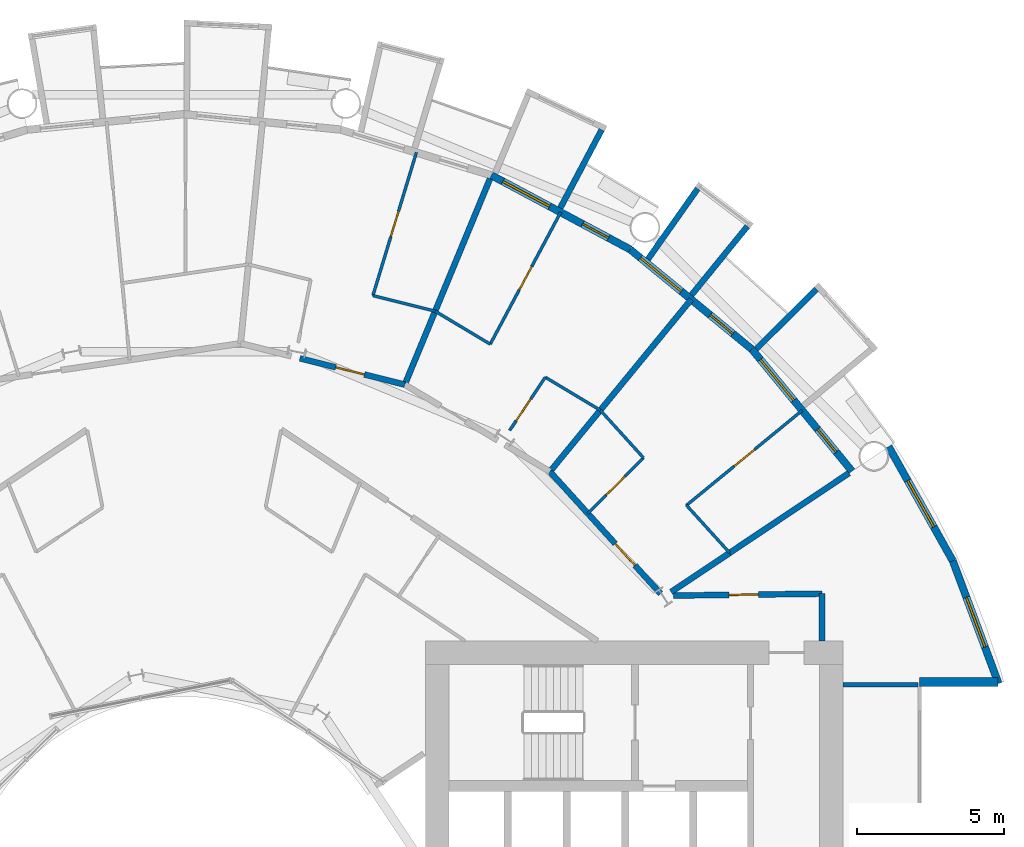
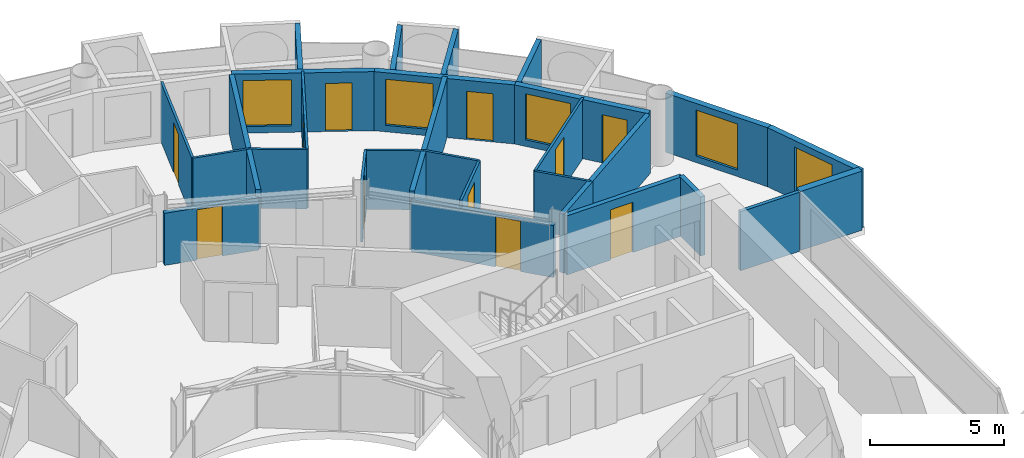
# One storey, part 21 of 26: 29 walls, 11 doors, 5 windows, 16 openings.
"""IFC4 building model written with IfcOpenShell, lengths in metres."""

from ifc_helpers import new_model, si_unit, direction, frame, frame_2d, origin, place, context, subcontext, project, spatial, rectangle, extrude, material, layer, layer_set, type_object, element, fill, save


model = new_model("IFC4")

# Units and contexts
model_context = context("Model", 3, precision=1e-05, world=origin(), true_north=direction((0.0, 1.0)))
body_context = subcontext(model_context, "Body", "Model", "MODEL_VIEW")
ifc_project = project(units=[si_unit("LENGTHUNIT", "METRE"), si_unit("AREAUNIT", "SQUARE_METRE"), si_unit("VOLUMEUNIT", "CUBIC_METRE"), si_unit("PLANEANGLEUNIT", "RADIAN"), si_unit("MASSUNIT", "GRAM", prefix="KILO")], contexts=[model_context])

# Site, building, storey
site_placement = place(None, origin())
site = spatial("IfcSite", under=ifc_project, at=site_placement, CompositionType="ELEMENT")
building_placement = place(site_placement, origin())
building = spatial("IfcBuilding", under=site, at=building_placement, Name="Maasbend Ring Residences", CompositionType="ELEMENT")
storey_placement = place(building_placement, frame((0.0, 0.0, 31.949951171875)))
storey = spatial("IfcBuildingStorey", under=building, at=storey_placement, Name="L08", CompositionType="ELEMENT", Elevation=31.949951171875)

# Wall
ifc_material_1 = material(Name="Concrete C30/37", Category="concrete")
ifc_layer_1 = layer(ifc_material_1, 0.199951171875)
ifc_layer_set_1 = layer_set([ifc_layer_1], Name="Concrete C30/37")
wall_type_1 = type_object("IfcWallType", Name="CORRIDOR WALL 200 CONCRETE", PredefinedType="PARTITIONING", material=ifc_layer_set_1)
wall_1_placement = place(storey_placement, frame((21.675048828125, 9.39990234375, 0.0), z_axis=(0.0, 0.0, 1.0), x_axis=(0.0, 1.0, 0.0)))
element("IfcWall", 1, at=wall_1_placement, inside=storey, type_object=wall_type_1, Name="U-L08-w002", PredefinedType="PARTITIONING", context=body_context, shape_type="SweptSolid", body=[
    extrude(rectangle(XDim=1.60009765625, YDim=0.199951171875, at=frame_2d((0.800048828125, 0.0))), origin(), (0.0, 0.0, 1.0), 2.699951171875),
])

# Wall, opening, door
wall_2_placement = place(storey_placement, frame((16.636962890625, 10.93798828125, 0.0), z_axis=(0.0, 0.0, 1.0), x_axis=(0.99992425795, 0.012307654658, 0.0)))
wall_2 = element("IfcWall", 2, at=wall_2_placement, inside=storey, type_object=wall_type_1, Name="U-L08-w079", PredefinedType="PARTITIONING", context=body_context, shape_type="SweptSolid", body=[
    extrude(rectangle(XDim=5.03857421875, YDim=0.199951171875, at=frame_2d((2.519287109375, 0.0))), origin(), (0.0, 0.0, 1.0), 2.699951171875),
])
opening_1_placement = place(wall_2_placement, frame((1.884033203125, 0.0, 0.0)))
opening_1 = element("IfcOpeningElement", 3, at=opening_1_placement, cuts=wall_2, Name="Opening D-0860", PredefinedType="OPENING", context=body_context, shape_type="SweptSolid", body=[
    extrude(rectangle(XDim=1.0, YDim=2.300048828125, at=frame_2d((0.5, 1.14990234375))), frame((0.0, 0.10986328125, 0.0), z_axis=(0.0, -1.0, 0.0), x_axis=(1.0, 0.0, 0.0)), (0.0, 0.0, 1.0), 0.219970703125),
])
ifc_material_2 = material(Name="Timber, painted", Category="wood")
door_type_1 = type_object("IfcDoorType", Name="ROOM DOOR 1000 X 2300", OperationType="NOTDEFINED", PredefinedType="DOOR", material=ifc_material_2)
door_1_placement = place(opening_1_placement, origin())
door_1 = element("IfcDoor", 4, at=door_1_placement, inside=storey, type_object=door_type_1, Name="D-0860", OperationType="SINGLE_SWING_LEFT", OverallHeight=2.300048828125, OverallWidth=1.0, PredefinedType="DOOR", context=body_context, shape_type="SweptSolid", body=[
    extrude(rectangle(XDim=1.0, YDim=2.300048828125, at=frame_2d((0.5, 1.14990234375))), frame((0.0, 0.02490234375, 0.0), z_axis=(0.0, -1.0, 0.0), x_axis=(1.0, 0.0, 0.0)), (0.0, 0.0, 1.0), 0.050048828125),
])
fill(opening_1, door_1)

wall_3_placement = place(storey_placement, frame((3.93505859375, 19.0009765625, 0.0), z_axis=(0.0, 0.0, 1.0), x_axis=(0.970040840928, -0.242941900323, 0.0)))
wall_3 = element("IfcWall", 5, at=wall_3_placement, inside=storey, type_object=wall_type_1, Name="U-L08-w091", PredefinedType="PARTITIONING", context=body_context, shape_type="SweptSolid", body=[
    extrude(rectangle(XDim=3.676025390625, YDim=0.199951171875, at=frame_2d((1.837890625, 0.0))), origin(), (0.0, 0.0, 1.0), 2.380126953125),
])
opening_2_placement = place(wall_3_placement, frame((1.259033203125, 0.0, 0.0)))
opening_2 = element("IfcOpeningElement", 6, at=opening_2_placement, cuts=wall_3, Name="Opening D-0807", PredefinedType="OPENING", context=body_context, shape_type="SweptSolid", body=[
    extrude(rectangle(XDim=1.0, YDim=2.300048828125, at=frame_2d((0.5, 1.14990234375))), frame((0.0, 0.10986328125, 0.0), z_axis=(0.0, -1.0, 0.0), x_axis=(1.0, 0.0, 0.0)), (0.0, 0.0, 1.0), 0.219970703125),
])
ifc_material_3 = material(Name="Timber, fire-rated, painted", Category="wood")
door_type_2 = type_object("IfcDoorType", Name="FLAT ENTRANCE DOOR 1000 X 2300 FIRE-RATED", OperationType="NOTDEFINED", PredefinedType="DOOR", material=ifc_material_3)
door_2_placement = place(opening_2_placement, origin())
door_2 = element("IfcDoor", 7, at=door_2_placement, inside=storey, type_object=door_type_2, Name="D-0807", OperationType="SINGLE_SWING_LEFT", OverallHeight=2.300048828125, OverallWidth=1.0, PredefinedType="DOOR", context=body_context, shape_type="SweptSolid", body=[
    extrude(rectangle(XDim=1.0, YDim=2.300048828125, at=frame_2d((0.5, 1.14990234375))), frame((0.0, 0.02490234375, 0.0), z_axis=(0.0, -1.0, 0.0), x_axis=(1.0, 0.0, 0.0)), (0.0, 0.0, 1.0), 0.050048828125),
])
fill(opening_2, door_2)

wall_4_placement = place(storey_placement, frame((12.43408203125, 15.15087890625, 0.0), z_axis=(0.0, 0.0, 1.0), x_axis=(0.671514934772, -0.740991020444, 0.0)))
wall_4 = element("IfcWall", 8, at=wall_4_placement, inside=storey, type_object=wall_type_1, Name="U-L08-w094", PredefinedType="PARTITIONING", context=body_context, shape_type="SweptSolid", body=[
    extrude(rectangle(XDim=5.597900390625, YDim=0.199951171875, at=frame_2d((2.798828125, 0.0))), origin(), (0.0, 0.0, 1.0), 2.380126953125),
])
opening_3_placement = place(wall_4_placement, frame((3.304931640625, 0.0, 0.0)))
opening_3 = element("IfcOpeningElement", 9, at=opening_3_placement, cuts=wall_4, Name="Opening D-0801", PredefinedType="OPENING", context=body_context, shape_type="SweptSolid", body=[
    extrude(rectangle(XDim=1.0, YDim=2.300048828125, at=frame_2d((0.5, 1.14990234375))), frame((0.0, 0.10986328125, 0.0), z_axis=(0.0, -1.0, 0.0), x_axis=(1.0, 0.0, 0.0)), (0.0, 0.0, 1.0), 0.219970703125),
])
door_3_placement = place(opening_3_placement, origin())
door_3 = element("IfcDoor", 10, at=door_3_placement, inside=storey, type_object=door_type_2, Name="D-0801", OperationType="SINGLE_SWING_RIGHT", OverallHeight=2.300048828125, OverallWidth=1.0, PredefinedType="DOOR", context=body_context, shape_type="SweptSolid", body=[
    extrude(rectangle(XDim=1.0, YDim=2.300048828125, at=frame_2d((0.5, 1.14990234375))), frame((0.0, 0.02490234375, 0.0), z_axis=(0.0, -1.0, 0.0), x_axis=(1.0, 0.0, 0.0)), (0.0, 0.0, 1.0), 0.050048828125),
])
fill(opening_3, door_3)

# Walls
ifc_material_4 = material(Name="Pale anodised aluminium panel", Category="aluminium")
ifc_layer_2 = layer(ifc_material_4, 0.199951171875)
ifc_layer_set_2 = layer_set([ifc_layer_2], Name="EW-BOX")
wall_type_2 = type_object("IfcWallType", Name="EW-BOX", PredefinedType="SOLIDWALL", material=ifc_layer_set_2)
wall_5_placement = place(storey_placement, frame((19.449951171875, 19.322998046875, -0.030029296875), z_axis=(0.0, 0.0, 1.0), x_axis=(0.709727076896, 0.704476739375, 0.0)))
element("IfcWall", 11, at=wall_5_placement, inside=storey, type_object=wall_type_2, Name="Box side wall N02 right", PredefinedType="SOLIDWALL", context=body_context, shape_type="SweptSolid", body=[
    extrude(rectangle(XDim=2.883056640625, YDim=0.199951171875, at=frame_2d((1.44140625, 0.0))), origin(), (0.0, 0.0, 1.0), 2.72998046875),
])
wall_6_placement = place(storey_placement, frame((17.24609375, 21.155029296875, -0.030029296875), z_axis=(0.0, 0.0, 1.0), x_axis=(0.631741648902, 0.775179004516, 0.0)))
element("IfcWall", 12, at=wall_6_placement, inside=storey, type_object=wall_type_2, Name="Box side wall N04 left", PredefinedType="SOLIDWALL", context=body_context, shape_type="SweptSolid", body=[
    extrude(rectangle(XDim=3.005859375, YDim=0.199951171875, at=frame_2d((1.5029296875, 0.0))), origin(), (0.0, 0.0, 1.0), 2.72998046875),
])
wall_7_placement = place(storey_placement, frame((15.764892578125, 22.3701171875, -0.030029296875), z_axis=(0.0, 0.0, 1.0), x_axis=(0.576274612209, 0.817256123454, 0.0)))
element("IfcWall", 13, at=wall_7_placement, inside=storey, type_object=wall_type_2, Name="Box side wall N04 right", PredefinedType="SOLIDWALL", context=body_context, shape_type="SweptSolid", body=[
    extrude(rectangle(XDim=2.932861328125, YDim=0.199951171875, at=frame_2d((1.46630859375, 0.0))), origin(), (0.0, 0.0, 1.0), 2.72998046875),
])
wall_8_placement = place(storey_placement, frame((12.787109375, 24.113037109375, -0.030029296875), z_axis=(0.0, 0.0, 1.0), x_axis=(0.468365282436, 0.883534924159, 0.0)))
element("IfcWall", 14, at=wall_8_placement, inside=storey, type_object=wall_type_2, Name="Box side wall N06 left", PredefinedType="SOLIDWALL", context=body_context, shape_type="SweptSolid", body=[
    extrude(rectangle(XDim=3.006103515625, YDim=0.199951171875, at=frame_2d((1.5029296875, 0.0))), origin(), (0.0, 0.0, 1.0), 2.72998046875),
])

# Wall, openings, door, window
ifc_material_5 = material(Name="Aluminium clad insulated panel", Category="aluminium")
ifc_layer_3 = layer(ifc_material_5, 0.25)
ifc_layer_set_3 = layer_set([ifc_layer_3], Name="EW-GL")
wall_type_3 = type_object("IfcWallType", Name="EW-GL", PredefinedType="SOLIDWALL", material=ifc_layer_set_3)
wall_9_placement = place(storey_placement, frame((22.698974609375, 15.1669921875, 0.0), z_axis=(0.0, 0.0, 1.0), x_axis=(-0.634382322723, 0.773019449054, 0.0)))
wall_9 = element("IfcWall", 15, at=wall_9_placement, inside=storey, type_object=wall_type_3, Name="External wall N01", PredefinedType="SOLIDWALL", context=body_context, shape_type="SweptSolid", body=[
    extrude(rectangle(XDim=5.351806640625, YDim=0.25, at=frame_2d((2.67578125, 0.0))), origin(), (0.0, 0.0, 1.0), 2.699951171875),
])
opening_4_placement = place(wall_9_placement, frame((0.841064453125, 0.0, 0.0)))
opening_4 = element("IfcOpeningElement", 16, at=opening_4_placement, cuts=wall_9, Name="Opening D-LG", PredefinedType="OPENING", context=body_context, shape_type="SweptSolid", body=[
    extrude(rectangle(XDim=1.0, YDim=2.199951171875, at=frame_2d((0.5, 1.10009765625))), frame((0.0, 0.135009765625, 0.0), z_axis=(0.0, -1.0, 0.0), x_axis=(1.0, 0.0, 0.0)), (0.0, 0.0, 1.0), 0.27001953125),
])
opening_5_placement = place(wall_9_placement, frame((3.110595703125, 0.0, 0.300048828125)))
opening_5 = element("IfcOpeningElement", 17, at=opening_5_placement, cuts=wall_9, Name="Opening W-BX", PredefinedType="OPENING", context=body_context, shape_type="SweptSolid", body=[
    extrude(rectangle(XDim=1.800048828125, YDim=2.10009765625, at=frame_2d((0.89990234375, 1.050048828125))), frame((0.0, 0.135009765625, 0.0), z_axis=(0.0, -1.0, 0.0), x_axis=(1.0, 0.0, 0.0)), (0.0, 0.0, 1.0), 0.27001953125),
])
ifc_material_6 = material(Name="Aluminium and clear glass", Category="aluminium")
door_type_3 = type_object("IfcDoorType", Name="D-LG", OperationType="SINGLE_SWING_LEFT", PredefinedType="DOOR", material=ifc_material_6)
door_4_placement = place(opening_4_placement, origin())
door_4 = element("IfcDoor", 18, at=door_4_placement, inside=storey, type_object=door_type_3, Name="Loggia door N01", OperationType="SINGLE_SWING_LEFT", OverallHeight=2.199951171875, OverallWidth=1.0, PredefinedType="DOOR", context=body_context, shape_type="SweptSolid", body=[
    extrude(rectangle(XDim=1.0, YDim=2.199951171875, at=frame_2d((0.5, 1.10009765625))), frame((0.0, 0.02490234375, 0.0), z_axis=(0.0, -1.0, 0.0), x_axis=(1.0, 0.0, 0.0)), (0.0, 0.0, 1.0), 0.050048828125),
])
fill(opening_4, door_4)
ifc_material_7 = material(Name="Aluminium and clear glass", Category="aluminium")
window_type = type_object("IfcWindowType", Name="W-BX", PartitioningType="DOUBLE_PANEL_VERTICAL", PredefinedType="WINDOW", material=ifc_material_7)
window_1_placement = place(opening_5_placement, origin())
window_1 = element("IfcWindow", 19, at=window_1_placement, inside=storey, type_object=window_type, Name="Window N02 room to box", OverallHeight=2.10009765625, OverallWidth=1.800048828125, PartitioningType="SINGLE_PANEL", PredefinedType="WINDOW", context=body_context, shape_type="SweptSolid", body=[
    extrude(rectangle(XDim=1.800048828125, YDim=2.10009765625, at=frame_2d((0.89990234375, 1.050048828125))), frame((0.0, 0.030029296875, 0.0), z_axis=(0.0, -1.0, 0.0), x_axis=(1.0, 0.0, 0.0)), (0.0, 0.0, 1.0), 0.06005859375),
])
fill(opening_5, window_1)

wall_10_placement = place(storey_placement, frame((19.303955078125, 19.303955078125, 0.0), z_axis=(0.0, 0.0, 1.0), x_axis=(-0.773019449054, 0.634382322723, 0.0)))
wall_10 = element("IfcWall", 20, at=wall_10_placement, inside=storey, type_object=wall_type_3, Name="External wall N02", PredefinedType="SOLIDWALL", context=body_context, shape_type="SweptSolid", body=[
    extrude(rectangle(XDim=5.351806640625, YDim=0.25, at=frame_2d((2.67578125, 0.0))), origin(), (0.0, 0.0, 1.0), 2.699951171875),
])
opening_6_placement = place(wall_10_placement, frame((0.841064453125, 0.0, 0.0)))
opening_6 = element("IfcOpeningElement", 21, at=opening_6_placement, cuts=wall_10, Name="Opening D-LG", PredefinedType="OPENING", context=body_context, shape_type="SweptSolid", body=[
    extrude(rectangle(XDim=1.0, YDim=2.199951171875, at=frame_2d((0.5, 1.10009765625))), frame((0.0, 0.135009765625, 0.0), z_axis=(0.0, -1.0, 0.0), x_axis=(1.0, 0.0, 0.0)), (0.0, 0.0, 1.0), 0.27001953125),
])
opening_7_placement = place(wall_10_placement, frame((3.110595703125, 0.0, 0.300048828125)))
opening_7 = element("IfcOpeningElement", 22, at=opening_7_placement, cuts=wall_10, Name="Opening W-BX", PredefinedType="OPENING", context=body_context, shape_type="SweptSolid", body=[
    extrude(rectangle(XDim=1.800048828125, YDim=2.10009765625, at=frame_2d((0.89990234375, 1.050048828125))), frame((0.0, 0.135009765625, 0.0), z_axis=(0.0, -1.0, 0.0), x_axis=(1.0, 0.0, 0.0)), (0.0, 0.0, 1.0), 0.27001953125),
])
door_5_placement = place(opening_6_placement, origin())
door_5 = element("IfcDoor", 23, at=door_5_placement, inside=storey, type_object=door_type_3, Name="Loggia door N03", OperationType="SINGLE_SWING_LEFT", OverallHeight=2.199951171875, OverallWidth=1.0, PredefinedType="DOOR", context=body_context, shape_type="SweptSolid", body=[
    extrude(rectangle(XDim=1.0, YDim=2.199951171875, at=frame_2d((0.5, 1.10009765625))), frame((0.0, 0.02490234375, 0.0), z_axis=(0.0, -1.0, 0.0), x_axis=(1.0, 0.0, 0.0)), (0.0, 0.0, 1.0), 0.050048828125),
])
fill(opening_6, door_5)
window_2_placement = place(opening_7_placement, origin())
window_2 = element("IfcWindow", 24, at=window_2_placement, inside=storey, type_object=window_type, Name="Window N04 room to box", OverallHeight=2.10009765625, OverallWidth=1.800048828125, PartitioningType="SINGLE_PANEL", PredefinedType="WINDOW", context=body_context, shape_type="SweptSolid", body=[
    extrude(rectangle(XDim=1.800048828125, YDim=2.10009765625, at=frame_2d((0.89990234375, 1.050048828125))), frame((0.0, 0.030029296875, 0.0), z_axis=(0.0, -1.0, 0.0), x_axis=(1.0, 0.0, 0.0)), (0.0, 0.0, 1.0), 0.06005859375),
])
fill(opening_7, window_2)

wall_11_placement = place(storey_placement, frame((15.1669921875, 22.698974609375, 0.0), z_axis=(0.0, 0.0, 1.0), x_axis=(-0.881915646801, 0.471407246368, 0.0)))
wall_11 = element("IfcWall", 25, at=wall_11_placement, inside=storey, type_object=wall_type_3, Name="External wall N03", PredefinedType="SOLIDWALL", context=body_context, shape_type="SweptSolid", body=[
    extrude(rectangle(XDim=5.35205078125, YDim=0.25, at=frame_2d((2.676025390625, 0.0))), origin(), (0.0, 0.0, 1.0), 2.699951171875),
])
opening_8_placement = place(wall_11_placement, frame((0.841064453125, 0.0, 0.0)))
opening_8 = element("IfcOpeningElement", 26, at=opening_8_placement, cuts=wall_11, Name="Opening D-LG", PredefinedType="OPENING", context=body_context, shape_type="SweptSolid", body=[
    extrude(rectangle(XDim=1.0, YDim=2.199951171875, at=frame_2d((0.5, 1.10009765625))), frame((0.0, 0.135009765625, 0.0), z_axis=(0.0, -1.0, 0.0), x_axis=(1.0, 0.0, 0.0)), (0.0, 0.0, 1.0), 0.27001953125),
])
opening_9_placement = place(wall_11_placement, frame((3.110595703125, 0.0, 0.300048828125)))
opening_9 = element("IfcOpeningElement", 27, at=opening_9_placement, cuts=wall_11, Name="Opening W-BX", PredefinedType="OPENING", context=body_context, shape_type="SweptSolid", body=[
    extrude(rectangle(XDim=1.800048828125, YDim=2.10009765625, at=frame_2d((0.89990234375, 1.050048828125))), frame((0.0, 0.135009765625, 0.0), z_axis=(0.0, -1.0, 0.0), x_axis=(1.0, 0.0, 0.0)), (0.0, 0.0, 1.0), 0.27001953125),
])
door_6_placement = place(opening_8_placement, origin())
door_6 = element("IfcDoor", 28, at=door_6_placement, inside=storey, type_object=door_type_3, Name="Loggia door N05", OperationType="SINGLE_SWING_LEFT", OverallHeight=2.199951171875, OverallWidth=1.0, PredefinedType="DOOR", context=body_context, shape_type="SweptSolid", body=[
    extrude(rectangle(XDim=1.0, YDim=2.199951171875, at=frame_2d((0.5, 1.10009765625))), frame((0.0, 0.02490234375, 0.0), z_axis=(0.0, -1.0, 0.0), x_axis=(1.0, 0.0, 0.0)), (0.0, 0.0, 1.0), 0.050048828125),
])
fill(opening_8, door_6)
window_3_placement = place(opening_9_placement, origin())
window_3 = element("IfcWindow", 29, at=window_3_placement, inside=storey, type_object=window_type, Name="Window N06 room to box", OverallHeight=2.10009765625, OverallWidth=1.800048828125, PartitioningType="SINGLE_PANEL", PredefinedType="WINDOW", context=body_context, shape_type="SweptSolid", body=[
    extrude(rectangle(XDim=1.800048828125, YDim=2.10009765625, at=frame_2d((0.89990234375, 1.050048828125))), frame((0.0, 0.030029296875, 0.0), z_axis=(0.0, -1.0, 0.0), x_axis=(1.0, 0.0, 0.0)), (0.0, 0.0, 1.0), 0.06005859375),
])
fill(opening_9, window_3)

# Wall, opening, window
ifc_material_8 = material(Name="Aluminium clad insulated panel", Category="aluminium")
ifc_layer_4 = layer(ifc_material_8, 0.25)
ifc_layer_set_4 = layer_set([ifc_layer_4], Name="EW-HORN")
wall_type_4 = type_object("IfcWallType", Name="EW-HORN", PredefinedType="SOLIDWALL", material=ifc_layer_set_4)
wall_12_placement = place(storey_placement, frame((27.681884765625, 7.945068359375, 0.0), z_axis=(0.0, 0.0, 1.0), x_axis=(-0.349247811493, 0.937030397675, 0.0)))
wall_12 = element("IfcWall", 30, at=wall_12_placement, inside=storey, type_object=wall_type_4, Name="Horn wall 1.1", PredefinedType="SOLIDWALL", context=body_context, shape_type="SweptSolid", body=[
    extrude(rectangle(XDim=4.4521484375, YDim=0.25, at=frame_2d((2.22607421875, 0.0))), origin(), (0.0, 0.0, 1.0), 2.699951171875),
])
opening_10_placement = place(wall_12_placement, frame((1.32666015625, 0.0, 0.300048828125)))
opening_10 = element("IfcOpeningElement", 31, at=opening_10_placement, cuts=wall_12, Name="Opening W-BX", PredefinedType="OPENING", context=body_context, shape_type="SweptSolid", body=[
    extrude(rectangle(XDim=1.800048828125, YDim=2.10009765625, at=frame_2d((0.89990234375, 1.050048828125))), frame((0.0, 0.135009765625, 0.0), z_axis=(0.0, -1.0, 0.0), x_axis=(1.0, 0.0, 0.0)), (0.0, 0.0, 1.0), 0.27001953125),
])
window_4_placement = place(opening_10_placement, origin())
window_4 = element("IfcWindow", 32, at=window_4_placement, inside=storey, type_object=window_type, Name="Horn window 1.1", OverallHeight=2.10009765625, OverallWidth=1.800048828125, PartitioningType="SINGLE_PANEL", PredefinedType="WINDOW", context=body_context, shape_type="SweptSolid", body=[
    extrude(rectangle(XDim=1.800048828125, YDim=2.10009765625, at=frame_2d((0.89990234375, 1.050048828125))), frame((0.0, 0.030029296875, 0.0), z_axis=(0.0, -1.0, 0.0), x_axis=(1.0, 0.0, 0.0)), (0.0, 0.0, 1.0), 0.06005859375),
])
fill(opening_10, window_4)

wall_13_placement = place(storey_placement, frame((26.126953125, 12.116943359375, 0.0), z_axis=(0.0, 0.0, 1.0), x_axis=(-0.489696356642, 0.871893042919, 0.0)))
wall_13 = element("IfcWall", 33, at=wall_13_placement, inside=storey, type_object=wall_type_4, Name="Horn wall 1.2", PredefinedType="SOLIDWALL", context=body_context, shape_type="SweptSolid", body=[
    extrude(rectangle(XDim=4.45361328125, YDim=0.25, at=frame_2d((2.226806640625, 0.0))), origin(), (0.0, 0.0, 1.0), 2.699951171875),
])
opening_11_placement = place(wall_13_placement, frame((1.32666015625, 0.0, 0.300048828125)))
opening_11 = element("IfcOpeningElement", 34, at=opening_11_placement, cuts=wall_13, Name="Opening W-BX", PredefinedType="OPENING", context=body_context, shape_type="SweptSolid", body=[
    extrude(rectangle(XDim=1.800048828125, YDim=2.10009765625, at=frame_2d((0.89990234375, 1.050048828125))), frame((0.0, 0.135009765625, 0.0), z_axis=(0.0, -1.0, 0.0), x_axis=(1.0, 0.0, 0.0)), (0.0, 0.0, 1.0), 0.27001953125),
])
window_5_placement = place(opening_11_placement, origin())
window_5 = element("IfcWindow", 35, at=window_5_placement, inside=storey, type_object=window_type, Name="Horn window 1.2", OverallHeight=2.10009765625, OverallWidth=1.800048828125, PartitioningType="SINGLE_PANEL", PredefinedType="WINDOW", context=body_context, shape_type="SweptSolid", body=[
    extrude(rectangle(XDim=1.800048828125, YDim=2.10009765625, at=frame_2d((0.89990234375, 1.050048828125))), frame((0.0, 0.030029296875, 0.0), z_axis=(0.0, -1.0, 0.0), x_axis=(1.0, 0.0, 0.0)), (0.0, 0.0, 1.0), 0.06005859375),
])
fill(opening_11, window_5)

# Wall
ifc_material_9 = material(Name="Aluminium clad insulated panel", Category="aluminium")
ifc_layer_5 = layer(ifc_material_9, 0.300048828125)
ifc_layer_set_5 = layer_set([ifc_layer_5], Name="EW-RET")
wall_type_5 = type_object("IfcWallType", Name="EW-RET", PredefinedType="SOLIDWALL", material=ifc_layer_set_5)
wall_14_placement = place(storey_placement, frame((25.0, 8.0, 0.0), z_axis=(0.0, 0.0, 1.0), x_axis=(1.0, 0.0, 0.0)))
element("IfcWall", 36, at=wall_14_placement, inside=storey, type_object=wall_type_5, Name="Notch return wall east north", PredefinedType="SOLIDWALL", context=body_context, shape_type="SweptSolid", body=[
    extrude(rectangle(XDim=2.6669921875, YDim=0.300048828125, at=frame_2d((1.33349609375, 0.0))), origin(), (0.0, 0.0, 1.0), 2.699951171875),
])

# Wall, opening, door
ifc_material_10 = material(Name="Gypsum board on steel studs", Category="steel")
ifc_layer_6 = layer(ifc_material_10, 0.10009765625)
ifc_layer_set_6 = layer_set([ifc_layer_6], Name="PARTITION 100 GYPSUM")
wall_type_6 = type_object("IfcWallType", Name="PARTITION 100 GYPSUM", PredefinedType="PARTITIONING", material=ifc_layer_set_6)
wall_15_placement = place(storey_placement, frame((6.41796875, 21.133056640625, 0.0), z_axis=(0.0, 0.0, 1.0), x_axis=(0.290651827018, 0.956828885147, 0.0)))
wall_15 = element("IfcWall", 37, at=wall_15_placement, inside=storey, type_object=wall_type_6, Name="U-L08-w059", PredefinedType="PARTITIONING", context=body_context, shape_type="SweptSolid", body=[
    extrude(rectangle(XDim=5.088623046875, YDim=0.10009765625, at=frame_2d((2.54443359375, 0.0))), origin(), (0.0, 0.0, 1.0), 2.699951171875),
])
opening_12_placement = place(wall_15_placement, frame((2.093994140625, 0.0, 0.0)))
opening_12 = element("IfcOpeningElement", 38, at=opening_12_placement, cuts=wall_15, Name="Opening D-0809", PredefinedType="OPENING", context=body_context, shape_type="SweptSolid", body=[
    extrude(rectangle(XDim=0.89990234375, YDim=2.300048828125, at=frame_2d((0.449951171875, 1.14990234375))), frame((0.0, 0.06005859375, 0.0), z_axis=(0.0, -1.0, 0.0), x_axis=(1.0, 0.0, 0.0)), (0.0, 0.0, 1.0), 0.1201171875),
])
ifc_material_11 = material(Name="Timber, painted", Category="wood")
door_type_4 = type_object("IfcDoorType", Name="INTERNAL DOOR 900 X 2300", OperationType="NOTDEFINED", PredefinedType="DOOR", material=ifc_material_11)
door_7_placement = place(opening_12_placement, origin())
door_7 = element("IfcDoor", 39, at=door_7_placement, inside=storey, type_object=door_type_4, Name="D-0809", OperationType="SINGLE_SWING_LEFT", OverallHeight=2.300048828125, OverallWidth=0.89990234375, PredefinedType="DOOR", context=body_context, shape_type="SweptSolid", body=[
    extrude(rectangle(XDim=0.89990234375, YDim=2.300048828125, at=frame_2d((0.449951171875, 1.14990234375))), frame((0.0, 0.02490234375, 0.0), z_axis=(0.0, -1.0, 0.0), x_axis=(1.0, 0.0, 0.0)), (0.0, 0.0, 1.0), 0.050048828125),
])
fill(opening_12, door_7)

wall_16_placement = place(storey_placement, frame((10.405029296875, 19.48095703125, 0.0), z_axis=(0.0, 0.0, 1.0), x_axis=(0.471170755767, 0.882042016522, 0.0)))
wall_16 = element("IfcWall", 40, at=wall_16_placement, inside=storey, type_object=wall_type_6, Name="U-L08-w065", PredefinedType="PARTITIONING", context=body_context, shape_type="SweptSolid", body=[
    extrude(rectangle(XDim=5.08935546875, YDim=0.10009765625, at=frame_2d((2.544677734375, 0.0))), origin(), (0.0, 0.0, 1.0), 2.699951171875),
])
opening_13_placement = place(wall_16_placement, frame((2.094970703125, 0.0, 0.0)))
opening_13 = element("IfcOpeningElement", 41, at=opening_13_placement, cuts=wall_16, Name="Opening D-0806", PredefinedType="OPENING", context=body_context, shape_type="SweptSolid", body=[
    extrude(rectangle(XDim=0.89990234375, YDim=2.300048828125, at=frame_2d((0.449951171875, 1.14990234375))), frame((0.0, 0.06005859375, 0.0), z_axis=(0.0, -1.0, 0.0), x_axis=(1.0, 0.0, 0.0)), (0.0, 0.0, 1.0), 0.1201171875),
])
door_8_placement = place(opening_13_placement, origin())
door_8 = element("IfcDoor", 42, at=door_8_placement, inside=storey, type_object=door_type_4, Name="D-0806", OperationType="SINGLE_SWING_RIGHT", OverallHeight=2.300048828125, OverallWidth=0.89990234375, PredefinedType="DOOR", context=body_context, shape_type="SweptSolid", body=[
    extrude(rectangle(XDim=0.89990234375, YDim=2.300048828125, at=frame_2d((0.449951171875, 1.14990234375))), frame((0.0, 0.02490234375, 0.0), z_axis=(0.0, -1.0, 0.0), x_axis=(1.0, 0.0, 0.0)), (0.0, 0.0, 1.0), 0.050048828125),
])
fill(opening_13, door_8)

wall_17_placement = place(storey_placement, frame((11.06689453125, 16.551025390625, 0.0), z_axis=(0.0, 0.0, 1.0), x_axis=(0.55563200073, 0.831428337119, 0.0)))
wall_17 = element("IfcWall", 43, at=wall_17_placement, inside=storey, type_object=wall_type_6, Name="U-L08-w066", PredefinedType="PARTITIONING", context=body_context, shape_type="SweptSolid", body=[
    extrude(rectangle(XDim=2.17578125, YDim=0.10009765625, at=frame_2d((1.087890625, 0.0))), origin(), (0.0, 0.0, 1.0), 2.699951171875),
])
opening_14_placement = place(wall_17_placement, frame((0.388916015625, 0.0, 0.0)))
opening_14 = element("IfcOpeningElement", 44, at=opening_14_placement, cuts=wall_17, Name="Opening D-0805", PredefinedType="OPENING", context=body_context, shape_type="SweptSolid", body=[
    extrude(rectangle(XDim=0.89990234375, YDim=2.300048828125, at=frame_2d((0.449951171875, 1.14990234375))), frame((0.0, 0.06005859375, 0.0), z_axis=(0.0, -1.0, 0.0), x_axis=(1.0, 0.0, 0.0)), (0.0, 0.0, 1.0), 0.1201171875),
])
door_9_placement = place(opening_14_placement, origin())
door_9 = element("IfcDoor", 45, at=door_9_placement, inside=storey, type_object=door_type_4, Name="D-0805", OperationType="SINGLE_SWING_LEFT", OverallHeight=2.300048828125, OverallWidth=0.89990234375, PredefinedType="DOOR", context=body_context, shape_type="SweptSolid", body=[
    extrude(rectangle(XDim=0.89990234375, YDim=2.300048828125, at=frame_2d((0.449951171875, 1.14990234375))), frame((0.0, 0.02490234375, 0.0), z_axis=(0.0, -1.0, 0.0), x_axis=(1.0, 0.0, 0.0)), (0.0, 0.0, 1.0), 0.050048828125),
])
fill(opening_14, door_9)

wall_18_placement = place(storey_placement, frame((13.721923828125, 13.72998046875, 0.0), z_axis=(0.0, 0.0, 1.0), x_axis=(0.706741540154, 0.707471833659, 0.0)))
wall_18 = element("IfcWall", 46, at=wall_18_placement, inside=storey, type_object=wall_type_6, Name="U-L08-w070", PredefinedType="PARTITIONING", context=body_context, shape_type="SweptSolid", body=[
    extrude(rectangle(XDim=2.67431640625, YDim=0.10009765625, at=frame_2d((1.337158203125, 0.0))), origin(), (0.0, 0.0, 1.0), 2.699951171875),
])
opening_15_placement = place(wall_18_placement, frame((0.886962890625, 0.0, 0.0)))
opening_15 = element("IfcOpeningElement", 47, at=opening_15_placement, cuts=wall_18, Name="Opening D-0802", PredefinedType="OPENING", context=body_context, shape_type="SweptSolid", body=[
    extrude(rectangle(XDim=0.89990234375, YDim=2.300048828125, at=frame_2d((0.449951171875, 1.14990234375))), frame((0.0, 0.06005859375, 0.0), z_axis=(0.0, -1.0, 0.0), x_axis=(1.0, 0.0, 0.0)), (0.0, 0.0, 1.0), 0.1201171875),
])
door_10_placement = place(opening_15_placement, origin())
door_10 = element("IfcDoor", 48, at=door_10_placement, inside=storey, type_object=door_type_4, Name="D-0802", OperationType="SINGLE_SWING_RIGHT", OverallHeight=2.300048828125, OverallWidth=0.89990234375, PredefinedType="DOOR", context=body_context, shape_type="SweptSolid", body=[
    extrude(rectangle(XDim=0.89990234375, YDim=2.300048828125, at=frame_2d((0.449951171875, 1.14990234375))), frame((0.0, 0.02490234375, 0.0), z_axis=(0.0, -1.0, 0.0), x_axis=(1.0, 0.0, 0.0)), (0.0, 0.0, 1.0), 0.050048828125),
])
fill(opening_15, door_10)

wall_19_placement = place(storey_placement, frame((17.076904296875, 14.006103515625, 0.0), z_axis=(0.0, 0.0, 1.0), x_axis=(0.77326214499, 0.634086472908, 0.0)))
wall_19 = element("IfcWall", 49, at=wall_19_placement, inside=storey, type_object=wall_type_6, Name="U-L08-w073", PredefinedType="PARTITIONING", context=body_context, shape_type="SweptSolid", body=[
    extrude(rectangle(XDim=5.0888671875, YDim=0.10009765625, at=frame_2d((2.54443359375, 0.0))), origin(), (0.0, 0.0, 1.0), 2.699951171875),
])
opening_16_placement = place(wall_19_placement, frame((2.093994140625, 0.0, 0.0)))
opening_16 = element("IfcOpeningElement", 50, at=opening_16_placement, cuts=wall_19, Name="Opening D-0803", PredefinedType="OPENING", context=body_context, shape_type="SweptSolid", body=[
    extrude(rectangle(XDim=0.89990234375, YDim=2.300048828125, at=frame_2d((0.449951171875, 1.14990234375))), frame((0.0, 0.06005859375, 0.0), z_axis=(0.0, -1.0, 0.0), x_axis=(1.0, 0.0, 0.0)), (0.0, 0.0, 1.0), 0.1201171875),
])
door_11_placement = place(opening_16_placement, origin())
door_11 = element("IfcDoor", 51, at=door_11_placement, inside=storey, type_object=door_type_4, Name="D-0803", OperationType="SINGLE_SWING_RIGHT", OverallHeight=2.300048828125, OverallWidth=0.89990234375, PredefinedType="DOOR", context=body_context, shape_type="SweptSolid", body=[
    extrude(rectangle(XDim=0.89990234375, YDim=2.300048828125, at=frame_2d((0.449951171875, 1.14990234375))), frame((0.0, 0.02490234375, 0.0), z_axis=(0.0, -1.0, 0.0), x_axis=(1.0, 0.0, 0.0)), (0.0, 0.0, 1.0), 0.050048828125),
])
fill(opening_16, door_11)

# Walls
wall_20_placement = place(storey_placement, frame((6.41796875, 21.133056640625, 0.0), z_axis=(0.0, 0.0, 1.0), x_axis=(0.97003047456, -0.242983288366, 0.0)))
element("IfcWall", 52, at=wall_20_placement, inside=storey, type_object=wall_type_6, Name="U-L08-w104", PredefinedType="PARTITIONING", context=body_context, shape_type="SweptSolid", body=[
    extrude(rectangle(XDim=2.181396484375, YDim=0.10009765625, at=frame_2d((1.0908203125, 0.0))), origin(), (0.0, 0.0, 1.0), 2.699951171875),
])
for number, where, z_axis, x_axis, name in (
    (53, (8.533935546875, 20.60302734375, 0.0), (0.0, 0.0, 1.0), (0.857611386679, -0.514298268943, 0.0), "U-L08-w105"),
    (54, (12.27587890625, 18.35888671875, 0.0), (0.0, 0.0, 1.0), (0.857660741648, -0.514215958752, 0.0), "U-L08-w106"),
):
    element("IfcWall", number, at=place(storey_placement, frame(where, z_axis=z_axis, x_axis=x_axis)), inside=storey, type_object=wall_type_6, Name=name, PredefinedType="PARTITIONING", context=body_context, shape_type="SweptSolid", body=[
        extrude(rectangle(XDim=2.181640625, YDim=0.10009765625, at=frame_2d((1.0908203125, 0.0))), origin(), (0.0, 0.0, 1.0), 2.699951171875),
    ])
wall_21_placement = place(storey_placement, frame((14.14697265625, 17.238037109375, 0.0), z_axis=(0.0, 0.0, 1.0), x_axis=(0.671674967707, -0.740845960882, 0.0)))
element("IfcWall", 55, at=wall_21_placement, inside=storey, type_object=wall_type_6, Name="U-L08-w107", PredefinedType="PARTITIONING", context=body_context, shape_type="SweptSolid", body=[
    extrude(rectangle(XDim=2.18115234375, YDim=0.10009765625, at=frame_2d((1.090576171875, 0.0))), origin(), (0.0, 0.0, 1.0), 2.699951171875),
])
wall_22_placement = place(storey_placement, frame((17.072021484375, 14.010986328125, 0.0), z_axis=(0.0, 0.0, 1.0), x_axis=(0.67169789574, -0.740825172937, 0.0)))
element("IfcWall", 56, at=wall_22_placement, inside=storey, type_object=wall_type_6, Name="U-L08-w108", PredefinedType="PARTITIONING", context=body_context, shape_type="SweptSolid", body=[
    extrude(rectangle(XDim=2.1826171875, YDim=0.10009765625, at=frame_2d((1.09130859375, 0.0))), origin(), (0.0, 0.0, 1.0), 2.699951171875),
])
ifc_material_12 = material(Name="Gypsum board on steel studs", Category="steel")
ifc_layer_7 = layer(ifc_material_12, 0.14990234375)
ifc_layer_set_7 = layer_set([ifc_layer_7], Name="PARTITION 150 EI 60")
wall_type_7 = type_object("IfcWallType", Name="PARTITION 150 EI 60", PredefinedType="PARTITIONING", material=ifc_layer_set_7)
wall_23_placement = place(storey_placement, frame((22.39990234375, 7.89990234375, 0.0), z_axis=(0.0, 0.0, 1.0), x_axis=(1.0, 0.0, 0.0)))
element("IfcWall", 57, at=wall_23_placement, inside=storey, type_object=wall_type_7, Name="L08 core E wall CITN", PredefinedType="PARTITIONING", context=body_context, shape_type="SweptSolid", body=[
    extrude(rectangle(XDim=2.5400390625, YDim=0.14990234375, at=frame_2d((1.27001953125, 0.0))), origin(), (0.0, 0.0, 1.0), 2.699951171875),
])
ifc_material_13 = material(Name="Concrete C30/37", Category="concrete")
ifc_layer_8 = layer(ifc_material_13, 0.199951171875)
ifc_layer_set_8 = layer_set([ifc_layer_8], Name="Concrete C30/37")
wall_type_8 = type_object("IfcWallType", Name="PARTY WALL 200 CONCRETE", PredefinedType="PARTITIONING", material=ifc_layer_set_8)
wall_24_placement = place(storey_placement, frame((7.5009765625, 18.10791015625, 0.0), z_axis=(0.0, 0.0, 1.0), x_axis=(0.382490346157, 0.923959487801, 0.0)))
element("IfcWall", 58, at=wall_24_placement, inside=storey, type_object=wall_type_8, Name="U-L08-w063", PredefinedType="PARTITIONING", context=body_context, shape_type="SweptSolid", body=[
    extrude(rectangle(XDim=7.573974609375, YDim=0.199951171875, at=frame_2d((3.787109375, 0.0))), origin(), (0.0, 0.0, 1.0), 2.699951171875),
])
wall_25_placement = place(storey_placement, frame((12.43408203125, 15.15087890625, 0.0), z_axis=(0.0, 0.0, 1.0), x_axis=(0.634381303318, 0.773020285633, 0.0)))
element("IfcWall", 59, at=wall_25_placement, inside=storey, type_object=wall_type_8, Name="U-L08-w069", PredefinedType="PARTITIONING", context=body_context, shape_type="SweptSolid", body=[
    extrude(rectangle(XDim=7.57568359375, YDim=0.199951171875, at=frame_2d((3.787841796875, 0.0))), origin(), (0.0, 0.0, 1.0), 2.699951171875),
])
wall_26_placement = place(storey_placement, frame((18.5419921875, 12.388916015625, 0.0), z_axis=(0.0, 0.0, 1.0), x_axis=(0.831387096605, 0.55569370664, 0.0)))
element("IfcWall", 60, at=wall_26_placement, inside=storey, type_object=wall_type_8, Name="U-L08-w074", PredefinedType="PARTITIONING", context=body_context, shape_type="SweptSolid", body=[
    extrude(rectangle(XDim=4.875, YDim=0.199951171875, at=frame_2d((2.4375, 0.0))), origin(), (0.0, 0.0, 1.0), 2.699951171875),
])
wall_27_placement = place(storey_placement, frame((16.554931640625, 11.06103515625, 0.0), z_axis=(0.0, 0.0, 1.0), x_axis=(0.832066006555, 0.554676627176, 0.0)))
element("IfcWall", 61, at=wall_27_placement, inside=storey, type_object=wall_type_8, Name="U-L08-w075", PredefinedType="PARTITIONING", context=body_context, shape_type="SweptSolid", body=[
    extrude(rectangle(XDim=2.390380859375, YDim=0.199951171875, at=frame_2d((1.1953125, 0.0))), origin(), (0.0, 0.0, 1.0), 2.699951171875),
])

save(model, "model.ifc")
